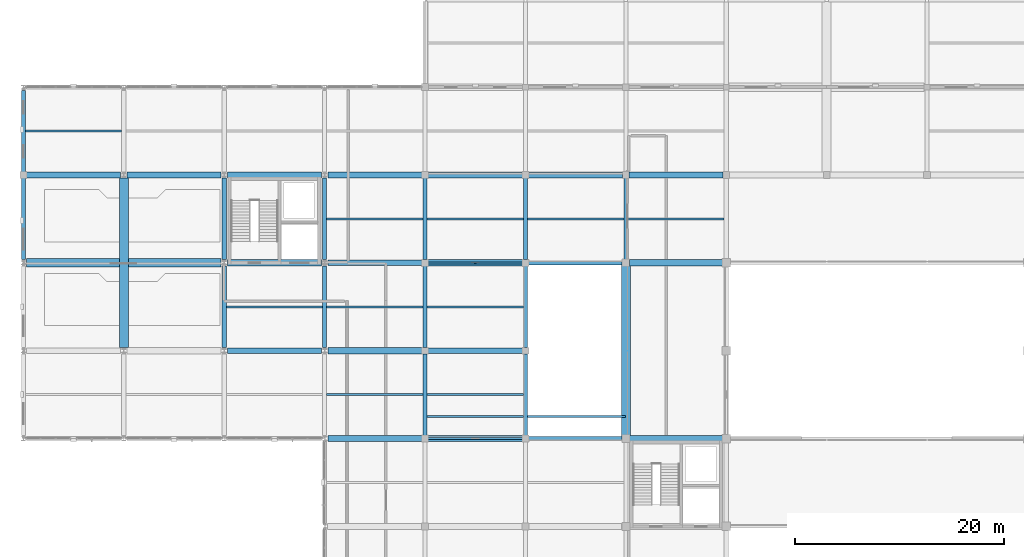
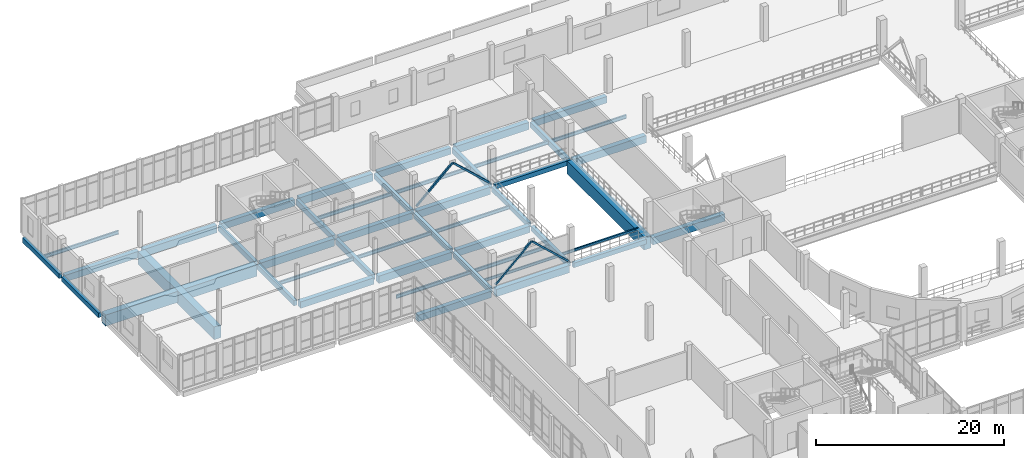
# One storey, part 55 of 102: 47 beams, 4 members.
"""IFC4 building model written with IfcOpenShell, lengths in metres."""

from ifc_helpers import new_model, si_unit, direction, frame, origin, origin_2d, place, context, subcontext, project, spatial, rectangle, hollow_rectangle, i_section, extrude, material, material_profile, profile_set, type_object, element, save


model = new_model("IFC4")

# Units and contexts
model_context = context("Model", 3, precision=1e-05, world=origin(), true_north=direction((0.0, 1.0)))
body_context = subcontext(model_context, "Body", "Model", "MODEL_VIEW")
ifc_project = project(units=[si_unit("LENGTHUNIT", "METRE"), si_unit("AREAUNIT", "SQUARE_METRE"), si_unit("VOLUMEUNIT", "CUBIC_METRE"), si_unit("PLANEANGLEUNIT", "RADIAN"), si_unit("MASSUNIT", "GRAM", prefix="KILO")], contexts=[model_context])

# Site, building, storey
site_placement = place(None, origin())
site = spatial("IfcSite", under=ifc_project, at=site_placement, CompositionType="ELEMENT")
building_placement = place(site_placement, origin())
building = spatial("IfcBuilding", under=site, at=building_placement, Name="Lornevale Opera House", CompositionType="ELEMENT")
storey_placement = place(building_placement, frame((0.0, 0.0, 5.39990234375)))
storey = spatial("IfcBuildingStorey", under=building, at=storey_placement, Name="L02", CompositionType="ELEMENT", Elevation=5.39990234375)

# Beams
ifc_material_1 = material(Name="Concrete 35 MPa (CSA A23.1 N)", Category="concrete")
ifc_material_profile_1 = material_profile(ifc_material_1, rectangle(XDim=0.39990234375, YDim=0.699951171875, at=origin_2d()), Name="RC400x700")
ifc_profile_set_1 = profile_set([ifc_material_profile_1], Name="Concrete 35 MPa (CSA A23.1 N)")
beam_type_1 = type_object("IfcBeamType", Name="Concrete Floor Beam 400x700", PredefinedType="USERDEFINED", material=ifc_profile_set_1)
for number, where, z_axis, x_axis, name in (
    (1, (19.199951171875, 75.89990234375, -0.699951171875), (0.0, 1.0, 0.0), (-1.0, 0.0, 0.0), "Concrete Floor Beam 400x700 1842"),
    (2, (19.199951171875, 84.300048828125, -0.699951171875), (0.0, 1.0, 0.0), (-1.0, 0.0, 0.0), "Concrete Floor Beam 400x700 1843"),
    (3, (28.800048828125, 75.89990234375, -0.699951171875), (0.0, 1.0, 0.0), (-1.0, 0.0, 0.0), "Concrete Floor Beam 400x700 1854"),
    (4, (28.800048828125, 84.300048828125, -0.699951171875), (0.0, 1.0, 0.0), (-1.0, 0.0, 0.0), "Concrete Floor Beam 400x700 1855"),
    (5, (38.39990234375, 67.5, -0.699951171875), (0.0, 1.0, 0.0), (-1.0, 0.0, 0.0), "Concrete Floor Beam 400x700 1865"),
    (6, (38.39990234375, 75.89990234375, -0.699951171875), (0.0, 1.0, 0.0), (-1.0, 0.0, 0.0), "Concrete Floor Beam 400x700 1866"),
    (7, (38.39990234375, 84.300048828125, -0.699951171875), (0.0, 1.0, 0.0), (-1.0, 0.0, 0.0), "Concrete Floor Beam 400x700 1867"),
    (8, (48.0, 84.300048828125, -0.699951171875), (0.0, 1.0, 0.0), (-1.0, 0.0, 0.0), "Concrete Floor Beam 400x700 1878"),
):
    element("IfcBeam", number, at=place(storey_placement, frame(where, z_axis=z_axis, x_axis=x_axis)), inside=storey, type_object=beam_type_1, Name=name, ObjectType="GIRDER", PredefinedType="USERDEFINED", context=body_context, shape_type="SweptSolid", body=[
        extrude(rectangle(XDim=0.39990234375, YDim=0.699951171875, at=origin_2d()), origin(), (0.0, 0.0, 1.0), 7.800048828125),
    ])
beam_1_placement = place(storey_placement, frame((57.60009765625, 84.199951171875, -0.72998046875), z_axis=(0.0, 1.0, 0.0), x_axis=(-1.0, 0.0, 0.0)))
element("IfcBeam", 9, at=beam_1_placement, inside=storey, type_object=beam_type_1, Name="Concrete Floor Beam 400x700 1888", ObjectType="GIRDER", PredefinedType="USERDEFINED", context=body_context, shape_type="SweptSolid", body=[
    extrude(rectangle(XDim=0.39990234375, YDim=0.699951171875, at=origin_2d()), origin(), (0.0, 0.0, 1.0), 7.900146484375),
])
ifc_material_profile_2 = material_profile(ifc_material_1, rectangle(XDim=0.550048828125, YDim=0.85009765625, at=origin_2d()), Name="RC550x850")
ifc_profile_set_2 = profile_set([ifc_material_profile_2], Name="Concrete 35 MPa (CSA A23.1 N)")
beam_type_2 = type_object("IfcBeamType", Name="Concrete Primary Girder 550x850", PredefinedType="USERDEFINED", material=ifc_profile_set_2)
for number, where, z_axis, x_axis, name in (
    (10, (29.10009765625, 67.199951171875, -0.77490234375), (1.0, 0.0, 0.0), (0.0, 1.0, 0.0), "Concrete Primary Girder 550x850 1759"),
    (11, (19.5, 75.60009765625, -0.77490234375), (1.0, 0.0, 0.0), (0.0, 1.0, 0.0), "Concrete Primary Girder 550x850 1772"),
    (12, (38.699951171875, 75.60009765625, -0.77490234375), (1.0, 0.0, 0.0), (0.0, 1.0, 0.0), "Concrete Primary Girder 550x850 1774"),
    (13, (29.10009765625, 84.0, -0.77490234375), (1.0, 0.0, 0.0), (0.0, 1.0, 0.0), "Concrete Primary Girder 550x850 1781"),
):
    element("IfcBeam", number, at=place(storey_placement, frame(where, z_axis=z_axis, x_axis=x_axis)), inside=storey, type_object=beam_type_2, Name=name, ObjectType="GIRDER", PredefinedType="USERDEFINED", context=body_context, shape_type="SweptSolid", body=[
        extrude(rectangle(XDim=0.550048828125, YDim=0.85009765625, at=origin_2d()), origin(), (0.0, 0.0, 1.0), 9.0),
    ])
beam_2_placement = place(storey_placement, frame((0.27490234375, 92.39990234375, -0.77490234375), z_axis=(1.0, 0.0, 0.0), x_axis=(0.0, 1.0, 0.0)))
element("IfcBeam", 14, at=beam_2_placement, inside=storey, type_object=beam_type_2, Name="Concrete Primary Girder 550x850 1792", ObjectType="GIRDER", PredefinedType="USERDEFINED", context=body_context, shape_type="SweptSolid", body=[
    extrude(rectangle(XDim=0.550048828125, YDim=0.85009765625, at=origin_2d()), origin(), (0.0, 0.0, 1.0), 9.025146484375),
])
for number, where, z_axis, x_axis, name in (
    (15, (19.5, 92.39990234375, -0.77490234375), (1.0, 0.0, 0.0), (0.0, 1.0, 0.0), "Concrete Primary Girder 550x850 1794"),
    (16, (38.699951171875, 92.39990234375, -0.77490234375), (1.0, 0.0, 0.0), (0.0, 1.0, 0.0), "Concrete Primary Girder 550x850 1796"),
    (17, (57.89990234375, 92.39990234375, -0.804931640625), (1.0, 0.0, 0.0), (0.0, 1.0, 0.0), "Concrete Primary Girder 550x850 1798"),
):
    element("IfcBeam", number, at=place(storey_placement, frame(where, z_axis=z_axis, x_axis=x_axis)), inside=storey, type_object=beam_type_2, Name=name, ObjectType="GIRDER", PredefinedType="USERDEFINED", context=body_context, shape_type="SweptSolid", body=[
        extrude(rectangle(XDim=0.550048828125, YDim=0.85009765625, at=origin_2d()), origin(), (0.0, 0.0, 1.0), 9.0),
    ])
ifc_material_profile_3 = material_profile(ifc_material_1, rectangle(XDim=0.60009765625, YDim=0.949951171875, at=origin_2d()), Name="RC600x950")
ifc_profile_set_3 = profile_set([ifc_material_profile_3], Name="Concrete 35 MPa (CSA A23.1 N)")
beam_type_3 = type_object("IfcBeamType", Name="Concrete Primary Girder 600x950", PredefinedType="USERDEFINED", material=ifc_profile_set_3)
beam_3_placement = place(storey_placement, frame((38.699951171875, 67.199951171875, -0.824951171875), z_axis=(1.0, 0.0, 0.0), x_axis=(0.0, 1.0, 0.0)))
element("IfcBeam", 18, at=beam_3_placement, inside=storey, type_object=beam_type_3, Name="Concrete Primary Girder 600x950 1760", ObjectType="GIRDER", PredefinedType="USERDEFINED", context=body_context, shape_type="SweptSolid", body=[
    extrude(rectangle(XDim=0.60009765625, YDim=0.949951171875, at=origin_2d()), origin(), (0.0, 0.0, 1.0), 9.0),
])
beam_4_placement = place(storey_placement, frame((57.949951171875, 67.199951171875, -0.824951171875), z_axis=(1.0, 0.0, 0.0), x_axis=(0.0, 1.0, 0.0)))
element("IfcBeam", 19, at=beam_4_placement, inside=storey, type_object=beam_type_3, Name="Concrete Primary Girder 600x950 1762", ObjectType="GIRDER", PredefinedType="USERDEFINED", context=body_context, shape_type="SweptSolid", body=[
    extrude(rectangle(XDim=0.60009765625, YDim=0.949951171875, at=origin_2d()), origin(), (0.0, 0.0, 1.0), 8.900146484375),
])
for number, where, z_axis, x_axis, name in (
    (20, (29.10009765625, 75.60009765625, -0.824951171875), (1.0, 0.0, 0.0), (0.0, 1.0, 0.0), "Concrete Primary Girder 600x950 1773"),
    (21, (19.5, 84.0, -0.824951171875), (1.0, 0.0, 0.0), (0.0, 1.0, 0.0), "Concrete Primary Girder 600x950 1780"),
    (22, (38.699951171875, 84.0, -0.824951171875), (1.0, 0.0, 0.0), (0.0, 1.0, 0.0), "Concrete Primary Girder 600x950 1782"),
):
    element("IfcBeam", number, at=place(storey_placement, frame(where, z_axis=z_axis, x_axis=x_axis)), inside=storey, type_object=beam_type_3, Name=name, ObjectType="GIRDER", PredefinedType="USERDEFINED", context=body_context, shape_type="SweptSolid", body=[
        extrude(rectangle(XDim=0.60009765625, YDim=0.949951171875, at=origin_2d()), origin(), (0.0, 0.0, 1.0), 9.0),
    ])
beam_5_placement = place(storey_placement, frame((57.949951171875, 84.0, -0.824951171875), z_axis=(1.0, 0.0, 0.0), x_axis=(0.0, 1.0, 0.0)))
element("IfcBeam", 23, at=beam_5_placement, inside=storey, type_object=beam_type_3, Name="Concrete Primary Girder 600x950 1784", ObjectType="GIRDER", PredefinedType="USERDEFINED", context=body_context, shape_type="SweptSolid", body=[
    extrude(rectangle(XDim=0.60009765625, YDim=0.949951171875, at=origin_2d()), origin(), (0.0, 0.0, 1.0), 8.900146484375),
])
for number, where, z_axis, x_axis, name in (
    (24, (9.89990234375, 92.39990234375, -0.824951171875), (1.0, 0.0, 0.0), (0.0, 1.0, 0.0), "Concrete Primary Girder 600x950 1793"),
    (25, (29.10009765625, 92.39990234375, -0.824951171875), (1.0, 0.0, 0.0), (0.0, 1.0, 0.0), "Concrete Primary Girder 600x950 1795"),
    (26, (48.300048828125, 92.39990234375, -0.85498046875), (1.0, 0.0, 0.0), (0.0, 1.0, 0.0), "Concrete Primary Girder 600x950 1797"),
):
    element("IfcBeam", number, at=place(storey_placement, frame(where, z_axis=z_axis, x_axis=x_axis)), inside=storey, type_object=beam_type_3, Name=name, ObjectType="GIRDER", PredefinedType="USERDEFINED", context=body_context, shape_type="SweptSolid", body=[
        extrude(rectangle(XDim=0.60009765625, YDim=0.949951171875, at=origin_2d()), origin(), (0.0, 0.0, 1.0), 9.0),
    ])
ifc_material_profile_4 = material_profile(ifc_material_1, rectangle(XDim=0.39990234375, YDim=0.60009765625, at=origin_2d()), Name="RC400x600")
ifc_profile_set_4 = profile_set([ifc_material_profile_4], Name="Concrete 35 MPa (CSA A23.1 N)")
beam_type_4 = type_object("IfcBeamType", Name="Concrete Spandrel Beam 400x600", PredefinedType="SPANDREL", material=ifc_profile_set_4)
for number, where, z_axis, x_axis, name in (
    (27, (48.300048828125, 67.199951171875, -0.64990234375), (1.0, 0.0, 0.0), (0.0, 1.0, 0.0), "Concrete Spandrel Beam 400x600 1761"),
    (28, (48.300048828125, 84.0, -0.64990234375), (1.0, 0.0, 0.0), (0.0, 1.0, 0.0), "Concrete Spandrel Beam 400x600 1783"),
):
    element("IfcBeam", number, at=place(storey_placement, frame(where, z_axis=z_axis, x_axis=x_axis)), inside=storey, type_object=beam_type_4, Name=name, PredefinedType="SPANDREL", context=body_context, shape_type="SweptSolid", body=[
        extrude(rectangle(XDim=0.39990234375, YDim=0.60009765625, at=origin_2d()), origin(), (0.0, 0.0, 1.0), 8.949951171875),
    ])
for number, where, z_axis, x_axis, name in (
    (29, (0.0, 84.300048828125, -0.64990234375), (0.0, 1.0, 0.0), (-1.0, 0.0, 0.0), "Concrete Spandrel Beam 400x600 1831"),
    (30, (0.0, 92.675048828125, -0.64990234375), (0.0, 1.0, 0.0), (-1.0, 0.0, 0.0), "Concrete Spandrel Beam 400x600 1832"),
):
    element("IfcBeam", number, at=place(storey_placement, frame(where, z_axis=z_axis, x_axis=x_axis)), inside=storey, type_object=beam_type_4, Name=name, PredefinedType="SPANDREL", context=body_context, shape_type="SweptSolid", body=[
        extrude(rectangle(XDim=0.39990234375, YDim=0.60009765625, at=origin_2d()), origin(), (0.0, 0.0, 1.0), 7.824951171875),
    ])
for number, where, z_axis, x_axis, name in (
    (31, (48.0, 67.5, -0.64990234375), (0.0, 1.0, 0.0), (-1.0, 0.0, 0.0), "Concrete Spandrel Beam 400x600 1876"),
    (32, (48.0, 75.89990234375, -0.64990234375), (0.0, 1.0, 0.0), (-1.0, 0.0, 0.0), "Concrete Spandrel Beam 400x600 1877"),
):
    element("IfcBeam", number, at=place(storey_placement, frame(where, z_axis=z_axis, x_axis=x_axis)), inside=storey, type_object=beam_type_4, Name=name, PredefinedType="SPANDREL", context=body_context, shape_type="SweptSolid", body=[
        extrude(rectangle(XDim=0.39990234375, YDim=0.60009765625, at=origin_2d()), origin(), (0.0, 0.0, 1.0), 7.800048828125),
    ])
ifc_material_2 = material(Name="Concrete 40 MPa (CSA A23.1 C-1)", Category="concrete")
ifc_material_profile_5 = material_profile(ifc_material_2, rectangle(XDim=0.800048828125, YDim=1.449951171875, at=origin_2d()), Name="RC800x1450")
ifc_profile_set_5 = profile_set([ifc_material_profile_5], Name="Concrete 40 MPa (CSA A23.1 C-1)")
beam_type_5 = type_object("IfcBeamType", Name="Concrete Transfer Girder 800x1450", PredefinedType="USERDEFINED", material=ifc_profile_set_5)
beam_6_placement = place(storey_placement, frame((0.300048828125, 84.0, -1.074951171875), z_axis=(1.0, 0.0, 0.0), x_axis=(0.0, 1.0, 0.0)))
element("IfcBeam", 33, at=beam_6_placement, inside=storey, type_object=beam_type_5, Name="Concrete Transfer Girder 800x1450 1779", ObjectType="TRANSFER GIRDER", PredefinedType="USERDEFINED", context=body_context, shape_type="SweptSolid", body=[
    extrude(rectangle(XDim=0.800048828125, YDim=1.449951171875, at=origin_2d()), origin(), (0.0, 0.0, 1.0), 18.599853515625),
])
ifc_material_profile_6 = material_profile(ifc_material_2, rectangle(XDim=0.85009765625, YDim=1.64990234375, at=origin_2d()), Name="RC850x1650")
ifc_profile_set_6 = profile_set([ifc_material_profile_6], Name="Concrete 40 MPa (CSA A23.1 C-1)")
beam_type_6 = type_object("IfcBeamType", Name="Concrete Transfer Girder 850x1650", PredefinedType="USERDEFINED", material=ifc_profile_set_6)
beam_7_placement = place(storey_placement, frame((9.60009765625, 75.89990234375, -1.1748046875), z_axis=(0.0, 1.0, 0.0), x_axis=(-1.0, 0.0, 0.0)))
element("IfcBeam", 34, at=beam_7_placement, inside=storey, type_object=beam_type_6, Name="Concrete Transfer Girder 850x1650 1836", ObjectType="TRANSFER GIRDER", PredefinedType="USERDEFINED", context=body_context, shape_type="SweptSolid", body=[
    extrude(rectangle(XDim=0.85009765625, YDim=1.64990234375, at=origin_2d()), origin(), (0.0, 0.0, 1.0), 16.2001953125),
])
beam_8_placement = place(storey_placement, frame((57.60009765625, 67.39990234375, -1.1748046875), z_axis=(0.0, 1.0, 0.0), x_axis=(-1.0, 0.0, 0.0)))
element("IfcBeam", 35, at=beam_8_placement, inside=storey, type_object=beam_type_6, Name="Concrete Transfer Girder 850x1650 1887", ObjectType="TRANSFER GIRDER", PredefinedType="USERDEFINED", context=body_context, shape_type="SweptSolid", body=[
    extrude(rectangle(XDim=0.85009765625, YDim=1.64990234375, at=origin_2d()), origin(), (0.0, 0.0, 1.0), 16.400146484375),
])
ifc_material_3 = material(Name="Structural Steel CSA G40.21 Grade 350W (350 MPa)", Category="steel")
ifc_material_profile_7 = material_profile(ifc_material_3, i_section(OverallWidth=0.19189453125, OverallDepth=0.462890625, WebThickness=0.010498046875, FlangeThickness=0.017578125, at=origin_2d()), Name="W460x89")
ifc_profile_set_7 = profile_set([ifc_material_profile_7], Name="Structural Steel CSA G40.21 Grade 350W (350 MPa)")
beam_type_7 = type_object("IfcBeamType", Name="Steel Floor Joist W460x89", PredefinedType="JOIST", material=ifc_profile_set_7)
beam_9_placement = place(storey_placement, frame((0.199951171875, 96.60009765625, -0.596435546875), z_axis=(1.0, 0.0, 0.0), x_axis=(0.0, 1.0, 0.0)))
element("IfcBeam", 36, at=beam_9_placement, inside=storey, type_object=beam_type_7, Name="Steel Floor Joist W460x89 1981", PredefinedType="JOIST", context=body_context, shape_type="SweptSolid", body=[
    extrude(i_section(OverallWidth=0.19189453125, OverallDepth=0.462890625, WebThickness=0.010498046875, FlangeThickness=0.017578125, at=origin_2d()), origin(), (0.0, 0.0, 1.0), 9.199951171875),
])
beam_10_placement = place(storey_placement, frame((19.39990234375, 79.800048828125, -0.596435546875), z_axis=(1.0, 0.0, 0.0), x_axis=(0.0, 1.0, 0.0)))
element("IfcBeam", 37, at=beam_10_placement, inside=storey, type_object=beam_type_7, Name="Steel Floor Joist W460x89 1988", PredefinedType="JOIST", context=body_context, shape_type="SweptSolid", body=[
    extrude(i_section(OverallWidth=0.19189453125, OverallDepth=0.462890625, WebThickness=0.010498046875, FlangeThickness=0.017578125, at=origin_2d()), origin(), (0.0, 0.0, 1.0), 9.2001953125),
])
for number, where, z_axis, x_axis, name in (
    (38, (29.0, 71.39990234375, -0.596435546875), (1.0, 0.0, 0.0), (0.0, 1.0, 0.0), "Steel Floor Joist W460x89 1998"),
    (39, (29.0, 79.800048828125, -0.596435546875), (1.0, 0.0, 0.0), (0.0, 1.0, 0.0), "Steel Floor Joist W460x89 1999"),
    (40, (29.0, 88.199951171875, -0.596435546875), (1.0, 0.0, 0.0), (0.0, 1.0, 0.0), "Steel Floor Joist W460x89 2000"),
    (41, (38.60009765625, 71.39990234375, -0.596435546875), (1.0, 0.0, 0.0), (0.0, 1.0, 0.0), "Steel Floor Joist W460x89 2008"),
    (42, (38.60009765625, 79.800048828125, -0.596435546875), (1.0, 0.0, 0.0), (0.0, 1.0, 0.0), "Steel Floor Joist W460x89 2009"),
    (43, (38.60009765625, 88.199951171875, -0.596435546875), (1.0, 0.0, 0.0), (0.0, 1.0, 0.0), "Steel Floor Joist W460x89 2010"),
    (44, (48.199951171875, 88.199951171875, -0.62646484375), (1.0, 0.0, 0.0), (0.0, 1.0, 0.0), "Steel Floor Joist W460x89 2018"),
    (45, (57.800048828125, 88.199951171875, -0.62646484375), (1.0, 0.0, 0.0), (0.0, 1.0, 0.0), "Steel Floor Joist W460x89 2025"),
):
    element("IfcBeam", number, at=place(storey_placement, frame(where, z_axis=z_axis, x_axis=x_axis)), inside=storey, type_object=beam_type_7, Name=name, PredefinedType="JOIST", context=body_context, shape_type="SweptSolid", body=[
        extrude(i_section(OverallWidth=0.19189453125, OverallDepth=0.462890625, WebThickness=0.010498046875, FlangeThickness=0.017578125, at=origin_2d()), origin(), (0.0, 0.0, 1.0), 9.199951171875),
    ])

# Members
ifc_material_profile_8 = material_profile(ifc_material_3, hollow_rectangle(XDim=0.202880859375, YDim=0.202880859375, WallThickness=0.0126953125, at=origin_2d()), Name="HSS203x203x13")
ifc_profile_set_8 = profile_set([ifc_material_profile_8], Name="Structural Steel CSA G40.21 Grade 350W (350 MPa)")
member_type = type_object("IfcMemberType", Name="Workshop Lateral Brace HSS203x203x13", PredefinedType="BRACE", material=ifc_profile_set_8)
member_1_placement = place(storey_placement, frame((38.72509765625, 67.199951171875, 0.10009765625), z_axis=(0.734864926109, 0.0, 0.678213491738), x_axis=(0.0, 1.0, 0.0)))
element("IfcMember", 46, at=member_1_placement, inside=storey, type_object=member_type, Name="Workshop Lateral Brace HSS203x203x13 0132", PredefinedType="BRACE", context=body_context, shape_type="SweptSolid", body=[
    extrude(hollow_rectangle(XDim=0.202880859375, YDim=0.202880859375, WallThickness=0.0126953125, at=origin_2d()), origin(), (0.0, 0.0, 1.0), 6.08935546875),
])
member_2_placement = place(storey_placement, frame((47.675048828125, 67.199951171875, 0.10009765625), z_axis=(-0.734883367021, 0.0, 0.678193509904), x_axis=(0.0, -1.0, 0.0)))
element("IfcMember", 47, at=member_2_placement, inside=storey, type_object=member_type, Name="Workshop Lateral Brace HSS203x203x13 0133", PredefinedType="BRACE", context=body_context, shape_type="SweptSolid", body=[
    extrude(hollow_rectangle(XDim=0.202880859375, YDim=0.202880859375, WallThickness=0.0126953125, at=origin_2d()), origin(), (0.0, 0.0, 1.0), 6.089599609375),
])
member_3_placement = place(storey_placement, frame((38.72509765625, 84.0, 0.10009765625), z_axis=(0.734046035033, 0.0, 0.679099711716), x_axis=(0.0, 1.0, 0.0)))
element("IfcMember", 48, at=member_3_placement, inside=storey, type_object=member_type, Name="Workshop Lateral Brace HSS203x203x13 0140", PredefinedType="BRACE", context=body_context, shape_type="SweptSolid", body=[
    extrude(hollow_rectangle(XDim=0.202880859375, YDim=0.202880859375, WallThickness=0.0126953125, at=origin_2d()), origin(), (0.0, 0.0, 1.0), 6.09619140625),
])
member_4_placement = place(storey_placement, frame((47.675048828125, 84.0, 0.10009765625), z_axis=(-0.734064503568, 0.0, 0.679079748337), x_axis=(0.0, -1.0, 0.0)))
element("IfcMember", 49, at=member_4_placement, inside=storey, type_object=member_type, Name="Workshop Lateral Brace HSS203x203x13 0141", PredefinedType="BRACE", context=body_context, shape_type="SweptSolid", body=[
    extrude(hollow_rectangle(XDim=0.202880859375, YDim=0.202880859375, WallThickness=0.0126953125, at=origin_2d()), origin(), (0.0, 0.0, 1.0), 6.096435546875),
])

# Beams
ifc_material_profile_9 = material_profile(ifc_material_3, i_section(OverallWidth=0.1708984375, OverallDepth=0.35498046875, WebThickness=0.007080078125, FlangeThickness=0.01171875, at=origin_2d()), Name="W360x51")
ifc_profile_set_9 = profile_set([ifc_material_profile_9], Name="Structural Steel CSA G40.21 Grade 350W (350 MPa)")
beam_type_8 = type_object("IfcBeamType", Name="Workshop Secondary Beam W360x51", PredefinedType="JOIST", material=ifc_profile_set_9)
beam_11_placement = place(storey_placement, frame((38.449951171875, 69.300048828125, -0.559814453125), z_axis=(1.0, 0.0, 0.0), x_axis=(0.0, 1.0, 0.0)))
element("IfcBeam", 50, at=beam_11_placement, inside=storey, type_object=beam_type_8, Name="Workshop Secondary Beam W360x51 3037", PredefinedType="JOIST", context=body_context, shape_type="SweptSolid", body=[
    extrude(i_section(OverallWidth=0.1708984375, OverallDepth=0.35498046875, WebThickness=0.007080078125, FlangeThickness=0.01171875, at=origin_2d()), origin(), (0.0, 0.0, 1.0), 9.35009765625),
])
ifc_material_profile_10 = material_profile(ifc_material_3, i_section(OverallWidth=0.172119140625, OverallDepth=0.35791015625, WebThickness=0.0078125, FlangeThickness=0.01318359375, at=origin_2d()), Name="W360x57")
ifc_profile_set_10 = profile_set([ifc_material_profile_10], Name="Structural Steel CSA G40.21 Grade 350W (350 MPa)")
beam_type_9 = type_object("IfcBeamType", Name="Workshop Secondary Beam W360x57", PredefinedType="JOIST", material=ifc_profile_set_10)
beam_12_placement = place(storey_placement, frame((48.199951171875, 69.300048828125, -0.5), z_axis=(1.0, 0.0, 0.0), x_axis=(0.0, 1.0, 0.0)))
element("IfcBeam", 51, at=beam_12_placement, inside=storey, type_object=beam_type_9, Name="Workshop Secondary Beam W360x57 3038", PredefinedType="JOIST", context=body_context, shape_type="SweptSolid", body=[
    extrude(i_section(OverallWidth=0.172119140625, OverallDepth=0.35791015625, WebThickness=0.0078125, FlangeThickness=0.01318359375, at=origin_2d()), origin(), (0.0, 0.0, 1.0), 9.35009765625),
])

save(model, "model.ifc")
